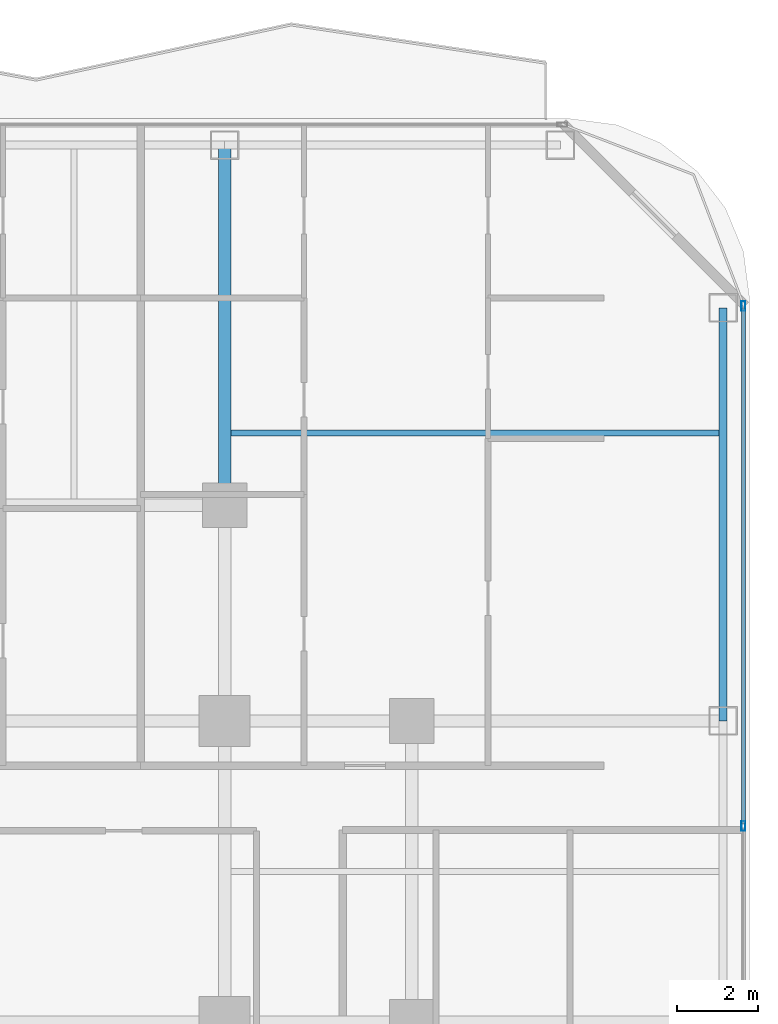
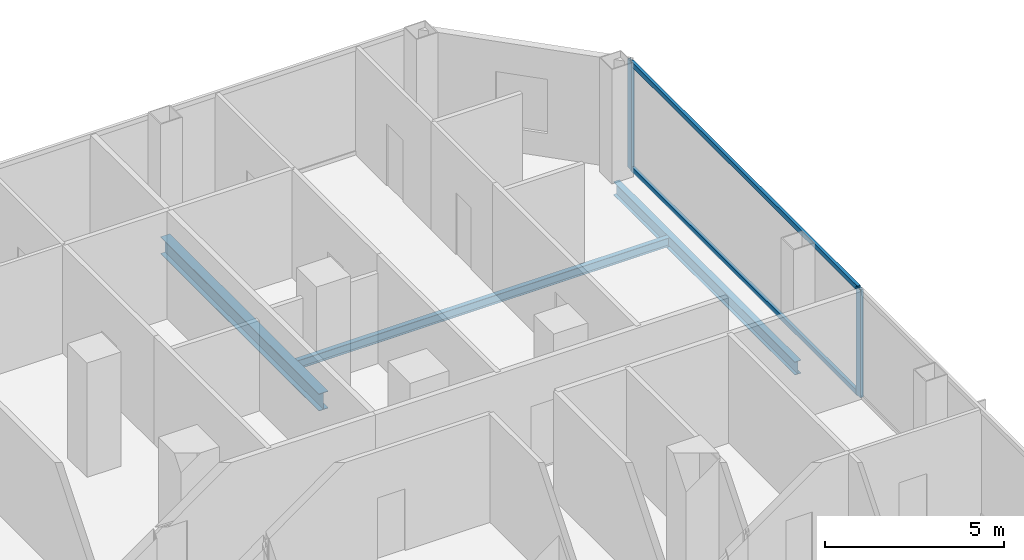
# One storey, part 16 of 30: 4 members, 3 beams, 1 element without a shape of its own.
"""IFC4 building model written with IfcOpenShell, lengths in metres."""

from ifc_helpers import new_model, si_unit, direction, frame, origin, origin_2d, place, context, subcontext, project, spatial, hollow_rectangle, i_section, extrude, material, layer, layer_set, material_profile, profile_set, type_object, element, aggregate, save


model = new_model("IFC4")

# Units and contexts
model_context = context("Model", 3, precision=1e-05, world=origin(), true_north=direction((0.0, 1.0)))
body_context = subcontext(model_context, "Body", "Model", "MODEL_VIEW")
ifc_project = project(units=[si_unit("LENGTHUNIT", "METRE"), si_unit("AREAUNIT", "SQUARE_METRE"), si_unit("VOLUMEUNIT", "CUBIC_METRE"), si_unit("PLANEANGLEUNIT", "RADIAN"), si_unit("MASSUNIT", "GRAM", prefix="KILO")], contexts=[model_context])

# Site, building, storey
site_placement = place(None, origin())
site = spatial("IfcSite", under=ifc_project, at=site_placement, CompositionType="ELEMENT")
building_placement = place(site_placement, origin())
building = spatial("IfcBuilding", under=site, at=building_placement, Name="Khorvyn Point Tower", CompositionType="ELEMENT")
storey_placement = place(building_placement, frame((0.0, 0.0, 117.300048828125)))
storey = spatial("IfcBuildingStorey", under=building, at=storey_placement, Name="L29", CompositionType="ELEMENT", Elevation=117.300048828125)

# Curtain wall, members
ifc_material_1 = material(Name="Anodised aluminium 6063-T6 and laminated Low-E glass", Category="aluminium")
ifc_layer = layer(ifc_material_1, 0.18994140625)
ifc_layer_set = layer_set([ifc_layer], Name="Stick-Built Acoustic Curtain Wall CW-SYS-03")
curtain_wall_type = type_object("IfcCurtainWallType", Name="Stick-Built Acoustic Curtain Wall CW-SYS-03", PredefinedType="NOTDEFINED", material=ifc_layer_set)
curtain_wall_placement = place(storey_placement, origin())
curtain_wall = element("IfcCurtainWall", 1, at=curtain_wall_placement, inside=storey, type_object=curtain_wall_type, Name="Curtain Wall", PredefinedType="NOTDEFINED")
ifc_material_2 = material(Name="Anodised aluminium 6063-T6", Category="aluminium")
ifc_material_profile_1 = material_profile(ifc_material_2, hollow_rectangle(XDim=0.10009765625, YDim=0.239990234375, WallThickness=0.0048828125, at=origin_2d()))
ifc_profile_set_1 = profile_set([ifc_material_profile_1], Name="Anodised aluminium 6063-T6 ALU-MUL-100x240")
member_type_1 = type_object("IfcMemberType", Name="Anodised Aluminium 6063-T6 Mullion ALU-MUL-100x240", PredefinedType="MULLION", material=ifc_profile_set_1)
member_1_placement = place(storey_placement, frame((27.550048828125, 25.0, 0.0), z_axis=(0.0, 0.0, 1.0), x_axis=(1.0, 0.0, 0.0)))
member_1 = element("IfcMember", 2, at=member_1_placement, type_object=member_type_1, Name="Transom", PredefinedType="MULLION", context=body_context, shape_type="SweptSolid", body=[
    extrude(hollow_rectangle(XDim=0.10009765625, YDim=0.239990234375, WallThickness=0.0048828125, at=origin_2d()), origin(), (0.0, 0.0, 1.0), 3.679931640625),
])
member_2_placement = place(storey_placement, frame((27.550048828125, 12.216552734375, 0.0), z_axis=(0.0, 0.0, 1.0), x_axis=(1.0, 0.0, 0.0)))
member_2 = element("IfcMember", 3, at=member_2_placement, type_object=member_type_1, Name="Transom", PredefinedType="MULLION", context=body_context, shape_type="SweptSolid", body=[
    extrude(hollow_rectangle(XDim=0.10009765625, YDim=0.239990234375, WallThickness=0.0048828125, at=origin_2d()), origin(), (0.0, 0.0, 1.0), 3.679931640625),
])
ifc_material_profile_2 = material_profile(ifc_material_2, hollow_rectangle(XDim=0.10009765625, YDim=0.159912109375, WallThickness=0.00439453125, at=origin_2d()))
ifc_profile_set_2 = profile_set([ifc_material_profile_2], Name="Anodised aluminium 6063-T6 ALU-TRN-100x160")
member_type_2 = type_object("IfcMemberType", Name="Anodised Aluminium 6063-T6 Transom ALU-TRN-100x160", PredefinedType="USERDEFINED", material=ifc_profile_set_2)
member_3_placement = place(storey_placement, frame((27.550048828125, 24.949951171875, 0.050048828125), z_axis=(0.0, -1.0, 0.0), x_axis=(1.0, 0.0, 0.0)))
member_3 = element("IfcMember", 4, at=member_3_placement, type_object=member_type_2, Name="Transom", ObjectType="TRANSOM", PredefinedType="USERDEFINED", context=body_context, shape_type="SweptSolid", body=[
    extrude(hollow_rectangle(XDim=0.10009765625, YDim=0.159912109375, WallThickness=0.00439453125, at=origin_2d()), origin(), (0.0, 0.0, 1.0), 12.683349609375),
])
member_4_placement = place(storey_placement, frame((27.550048828125, 24.949951171875, 3.6298828125), z_axis=(0.0, -1.0, 0.0), x_axis=(1.0, 0.0, 0.0)))
member_4 = element("IfcMember", 5, at=member_4_placement, type_object=member_type_2, Name="Transom", ObjectType="TRANSOM", PredefinedType="USERDEFINED", context=body_context, shape_type="SweptSolid", body=[
    extrude(hollow_rectangle(XDim=0.10009765625, YDim=0.159912109375, WallThickness=0.00439453125, at=origin_2d()), origin(), (0.0, 0.0, 1.0), 12.683349609375),
])
aggregate(curtain_wall, [member_1, member_2, member_3, member_4])

# Beams
ifc_material_3 = material(Name="Steel S355", Category="steel")
ifc_material_profile_3 = material_profile(ifc_material_3, i_section(OverallWidth=0.300048828125, OverallDepth=0.587890625, WebThickness=0.011962890625, FlangeThickness=0.02001953125, at=origin_2d()))
ifc_profile_set_3 = profile_set([ifc_material_profile_3], Name="Steel S355 H588x300x12x20")
beam_type_1 = type_object("IfcBeamType", Name="Steel S355 Beam H588x300x12x20", PredefinedType="BEAM", material=ifc_profile_set_3)
beam_1_placement = place(storey_placement, frame((14.800048828125, 20.10009765625, -0.51416015625), z_axis=(0.0, 1.0, 0.0), x_axis=(-1.0, 0.0, 0.0)))
element("IfcBeam", 6, at=beam_1_placement, inside=storey, type_object=beam_type_1, Name="Beam", PredefinedType="BEAM", context=body_context, shape_type="SweptSolid", body=[
    extrude(i_section(OverallWidth=0.300048828125, OverallDepth=0.587890625, WebThickness=0.011962890625, FlangeThickness=0.02001953125, at=origin_2d()), origin(), (0.0, 0.0, 1.0), 8.849853515625),
])
ifc_material_profile_4 = material_profile(ifc_material_3, i_section(OverallWidth=0.14990234375, OverallDepth=0.300048828125, WebThickness=0.006591796875, FlangeThickness=0.009033203125, at=origin_2d()))
ifc_profile_set_4 = profile_set([ifc_material_profile_4], Name="Steel S355 H300x150x6.5x9")
beam_type_2 = type_object("IfcBeamType", Name="Steel S355 Joist H300x150x6.5x9", PredefinedType="JOIST", material=ifc_profile_set_4)
beam_2_placement = place(storey_placement, frame((14.949951171875, 21.875, -0.3701171875), z_axis=(1.0, 0.0, 0.0), x_axis=(0.0, 1.0, 0.0)))
element("IfcBeam", 7, at=beam_2_placement, inside=storey, type_object=beam_type_2, Name="Beam", PredefinedType="JOIST", context=body_context, shape_type="SweptSolid", body=[
    extrude(i_section(OverallWidth=0.14990234375, OverallDepth=0.300048828125, WebThickness=0.006591796875, FlangeThickness=0.009033203125, at=origin_2d()), origin(), (0.0, 0.0, 1.0), 12.0),
])
ifc_material_profile_5 = material_profile(ifc_material_3, i_section(OverallWidth=0.199951171875, OverallDepth=0.449951171875, WebThickness=0.009033203125, FlangeThickness=0.013916015625, at=origin_2d()))
ifc_profile_set_5 = profile_set([ifc_material_profile_5], Name="Steel S355 H450x200x9x14")
beam_type_3 = type_object("IfcBeamType", Name="Steel S355 Spandrel H450x200x9x14", PredefinedType="SPANDREL", material=ifc_profile_set_5)
beam_3_placement = place(storey_placement, frame((27.050048828125, 14.800048828125, -0.445068359375), z_axis=(0.0, 1.0, 0.0), x_axis=(-1.0, 0.0, 0.0)))
element("IfcBeam", 8, at=beam_3_placement, inside=storey, type_object=beam_type_3, Name="Beam", PredefinedType="SPANDREL", context=body_context, shape_type="SweptSolid", body=[
    extrude(i_section(OverallWidth=0.199951171875, OverallDepth=0.449951171875, WebThickness=0.009033203125, FlangeThickness=0.013916015625, at=origin_2d()), origin(), (0.0, 0.0, 1.0), 10.14990234375),
])

save(model, "model.ifc")
